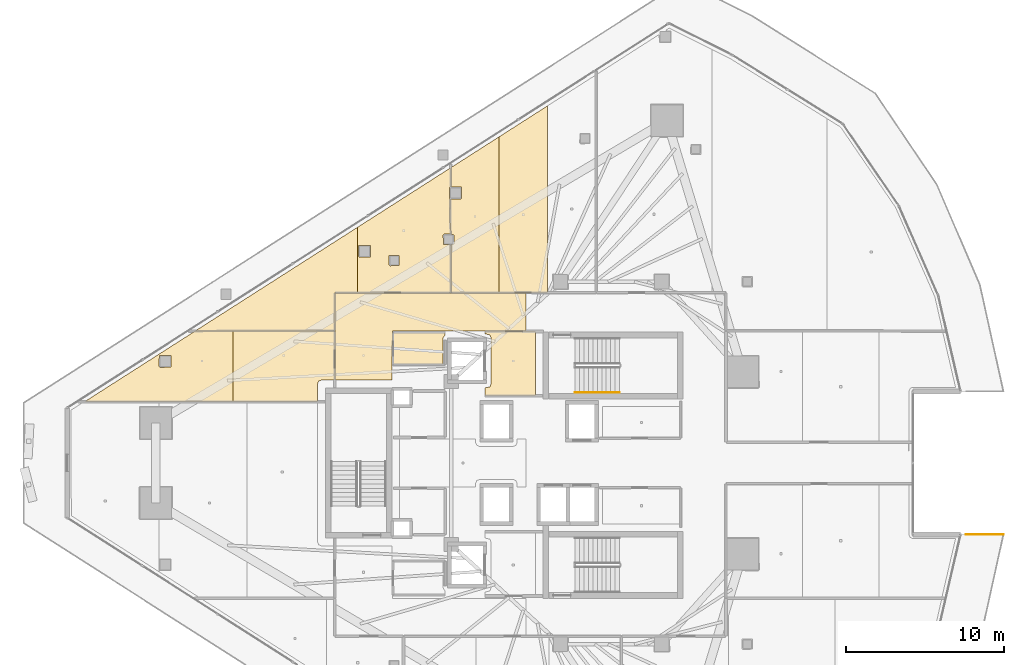
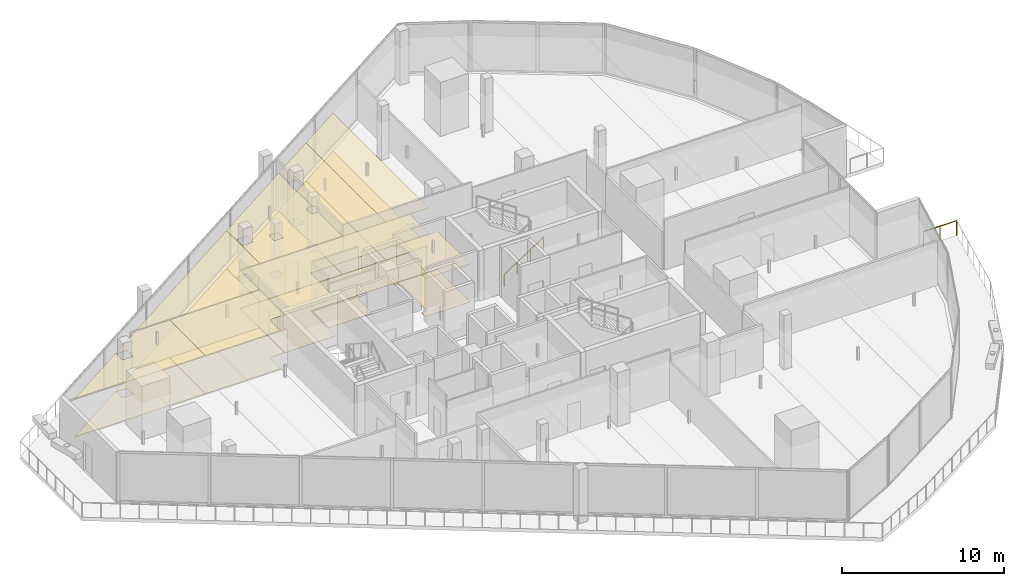
# One storey, part 35 of 37: 17 coverings, 2 railings.
"""IFC4 building model written with IfcOpenShell, lengths in metres."""

from ifc_helpers import new_model, si_unit, direction, frame, origin, origin_2d, place, context, subcontext, project, spatial, polyline, circle, outline, extrude, material, layer, layer_set, type_object, element, save


model = new_model("IFC4")

# Units and contexts
model_context = context("Model", 3, precision=1e-05, world=origin(), true_north=direction((0.0, 1.0)))
body_context = subcontext(model_context, "Body", "Model", "MODEL_VIEW")
ifc_project = project(units=[si_unit("LENGTHUNIT", "METRE"), si_unit("AREAUNIT", "SQUARE_METRE"), si_unit("VOLUMEUNIT", "CUBIC_METRE"), si_unit("PLANEANGLEUNIT", "RADIAN"), si_unit("MASSUNIT", "GRAM", prefix="KILO")], contexts=[model_context])

# Site, building, storey
site_placement = place(None, origin())
site = spatial("IfcSite", under=ifc_project, at=site_placement, CompositionType="ELEMENT")
building_placement = place(site_placement, origin())
building = spatial("IfcBuilding", under=site, at=building_placement, Name="Qorvath Tower", CompositionType="ELEMENT")
storey_placement = place(building_placement, frame((0.0, 0.0, 196.949951171875)))
storey = spatial("IfcBuildingStorey", under=building, at=storey_placement, Name="L45", CompositionType="ELEMENT", Elevation=196.949951171875)

# Coverings
ifc_material_1 = material(Name="Acoustic mineral fibre ceiling tile", Category="gypsum")
ifc_layer_1 = layer(ifc_material_1, 0.030029296875)
ifc_layer_set_1 = layer_set([ifc_layer_1], Name="COV-CEIL")
covering_type_1 = type_object("IfcCoveringType", Name="COV-CEIL", PredefinedType="CEILING", material=ifc_layer_set_1)
covering_1_placement = place(storey_placement, frame((0.0, 0.0, 2.85009765625)))
element("IfcCovering", 1, at=covering_1_placement, inside=storey, type_object=covering_type_1, Name="L45 Suspended Acoustic Ceiling 001", PredefinedType="CEILING", context=body_context, shape_type="SweptSolid", body=[
    extrude(outline(polyline([(-25.18994140625, 4.2548828125), (-25.18994140625, 8.294921875), (-28.375, 8.294921875), (-28.375, 8.159912109375), (-28.063232421875, 8.086669921875), (-27.989990234375, 7.909912109375), (-27.989990234375, 4.989990234375), (-28.063232421875, 4.813232421875), (-28.375, 4.739990234375), (-28.375, 4.2548828125), (-25.18994140625, 4.2548828125)])), origin(), (0.0, 0.0, 1.0), 0.030029296875),
])
covering_2_placement = place(storey_placement, frame((0.0, 0.0, 2.85009765625)))
element("IfcCovering", 2, at=covering_2_placement, inside=storey, type_object=covering_type_1, Name="L45 Suspended Acoustic Ceiling 010", PredefinedType="CEILING", context=body_context, shape_type="SweptSolid", body=[
    extrude(outline(polyline([(-25.76806640625, 8.324951171875), (-25.76806640625, 10.7451171875), (-37.844970703125, 10.7451171875), (-37.844970703125, 5.239990234375), (-34.2509765625, 5.239990234375), (-34.219970703125, 8.324951171875), (-25.76806640625, 8.324951171875)])), origin(), (0.0, 0.0, 1.0), 0.030029296875),
])
covering_3_placement = place(storey_placement, frame((0.0, 0.0, 2.85009765625)))
element("IfcCovering", 3, at=covering_3_placement, inside=storey, type_object=covering_type_1, Name="L45 Suspended Acoustic Ceiling 012", PredefinedType="CEILING", context=body_context, shape_type="SweptSolid", body=[
    extrude(outline(polyline([(-36.43896484375, 10.762939453125), (-36.43896484375, 14.881103515625), (-46.674072265625, 8.341064453125), (-37.863037109375, 8.35498046875), (-37.85791015625, 10.762939453125), (-36.43896484375, 10.762939453125)])), origin(), (0.0, 0.0, 1.0), 0.030029296875),
])
covering_4_placement = place(storey_placement, frame((0.0, 0.0, 2.85009765625)))
element("IfcCovering", 4, at=covering_4_placement, inside=storey, type_object=covering_type_1, Name="L45 Suspended Acoustic Ceiling 013", PredefinedType="CEILING", context=body_context, shape_type="SweptSolid", body=[
    extrude(outline(polyline([(-30.550048828125, 18.643798828125), (-36.43896484375, 14.881103515625), (-36.43896484375, 10.762939453125), (-30.550048828125, 10.762939453125), (-30.550048828125, 13.789306640625), (-30.99462890625, 13.806884765625), (-31.01220703125, 14.3994140625), (-30.9521484375, 14.459228515625), (-30.55029296875, 14.459228515625), (-30.60986328125, 17.384521484375), (-30.550048828125, 17.444580078125), (-30.550048828125, 18.643798828125)]), holes=[polyline([(-34.439208984375, 12.517578125), (-34.421630859375, 13.10986328125), (-33.786865234375, 13.10986328125), (-33.786865234375, 12.47509765625), (-34.379150390625, 12.45751953125), (-34.439208984375, 12.517578125)]), polyline([(-36.36572265625, 13.055908203125), (-36.34814453125, 13.748291015625), (-35.61328125, 13.748291015625), (-35.61328125, 13.013427734375), (-36.3056640625, 12.995849609375), (-36.36572265625, 13.055908203125)])]), origin(), (0.0, 0.0, 1.0), 0.030029296875),
])
covering_5_placement = place(storey_placement, frame((0.0, 0.0, 2.85009765625)))
element("IfcCovering", 5, at=covering_5_placement, inside=storey, type_object=covering_type_1, Name="L45 Suspended Acoustic Ceiling 014", PredefinedType="CEILING", context=body_context, shape_type="SweptSolid", body=[
    extrude(outline(polyline([(-29.89990234375, 16.674560546875), (-30.539794921875, 16.674560546875), (-30.531982421875, 14.459228515625), (-30.34228515625, 14.3994140625), (-30.34228515625, 13.849365234375), (-30.531982421875, 13.789306640625), (-30.531982421875, 10.762939453125), (-27.476806640625, 10.762939453125), (-27.476806640625, 20.60791015625), (-30.531982421875, 18.655517578125), (-30.531982421875, 17.444580078125), (-29.857421875, 17.427001953125), (-29.83984375, 16.734619140625), (-29.89990234375, 16.674560546875)])), origin(), (0.0, 0.0, 1.0), 0.030029296875),
])
covering_6_placement = place(storey_placement, frame((0.0, 0.0, 2.85009765625)))
element("IfcCovering", 6, at=covering_6_placement, inside=storey, type_object=covering_type_1, Name="L45 Suspended Acoustic Ceiling 015", PredefinedType="CEILING", context=body_context, shape_type="SweptSolid", body=[
    extrude(outline(polyline([(-27.476806640625, 20.60791015625), (-27.476806640625, 10.762939453125), (-24.4140625, 10.762939453125), (-24.4140625, 22.565673828125), (-27.476806640625, 20.60791015625)])), origin(), (0.0, 0.0, 1.0), 0.030029296875),
])
covering_7_placement = place(storey_placement, frame((0.0, 0.0, 2.85009765625)))
element("IfcCovering", 7, at=covering_7_placement, inside=storey, type_object=covering_type_1, Name="L45 Suspended Acoustic Ceiling 037", PredefinedType="CEILING", context=body_context, shape_type="SweptSolid", body=[
    extrude(outline(polyline([(-44.2958984375, 3.874755859375), (-44.2958984375, 8.33251953125), (-46.686279296875, 8.330810546875), (-53.6611328125, 3.872802734375), (-44.2958984375, 3.874755859375)]), holes=[polyline([(-48.96337890625, 6.099609375), (-48.94580078125, 6.7919921875), (-48.2109375, 6.7919921875), (-48.2109375, 6.05712890625), (-48.9033203125, 6.03955078125), (-48.96337890625, 6.099609375)])]), origin(), (0.0, 0.0, 1.0), 0.030029296875),
])
covering_8_placement = place(storey_placement, frame((0.0, 0.0, 2.85009765625)))
element("IfcCovering", 8, at=covering_8_placement, inside=storey, type_object=covering_type_1, Name="L45 Suspended Acoustic Ceiling 038", PredefinedType="CEILING", context=body_context, shape_type="SweptSolid", body=[
    extrude(outline(polyline([(-37.863037109375, 5.239990234375), (-37.863037109375, 8.3369140625), (-44.2958984375, 8.33251953125), (-44.2958984375, 3.874755859375), (-38.949951171875, 3.8759765625), (-38.949951171875, 4.989990234375), (-38.876708984375, 5.166748046875), (-38.699951171875, 5.239990234375), (-37.863037109375, 5.239990234375)])), origin(), (0.0, 0.0, 1.0), 0.030029296875),
])
ifc_material_2 = material(Name="Low-VOC modular carpet tile", Category="textile")
ifc_layer_2 = layer(ifc_material_2, 0.014892578125)
ifc_layer_set_2 = layer_set([ifc_layer_2], Name="COV-FLOOR-CPT")
covering_type_2 = type_object("IfcCoveringType", Name="COV-FLOOR-CPT", PredefinedType="FLOORING", material=ifc_layer_set_2)
covering_9_placement = place(storey_placement, origin())
element("IfcCovering", 9, at=covering_9_placement, inside=storey, type_object=covering_type_2, Name="L45 Floor Finish 012", PredefinedType="FLOORING", context=body_context, shape_type="SweptSolid", body=[
    extrude(outline(polyline([(-36.43896484375, 10.762939453125), (-36.43896484375, 14.881103515625), (-46.674072265625, 8.341064453125), (-37.863037109375, 8.35498046875), (-37.85791015625, 10.762939453125), (-36.43896484375, 10.762939453125)])), origin(), (0.0, 0.0, 1.0), 0.01513671875),
])
covering_10_placement = place(storey_placement, origin())
element("IfcCovering", 10, at=covering_10_placement, inside=storey, type_object=covering_type_2, Name="L45 Floor Finish 013", PredefinedType="FLOORING", context=body_context, shape_type="SweptSolid", body=[
    extrude(outline(polyline([(-30.550048828125, 18.643798828125), (-36.43896484375, 14.881103515625), (-36.43896484375, 10.762939453125), (-30.550048828125, 10.762939453125), (-30.550048828125, 13.789306640625), (-30.99462890625, 13.806884765625), (-31.01220703125, 14.3994140625), (-30.9521484375, 14.459228515625), (-30.55029296875, 14.459228515625), (-30.60986328125, 17.384521484375), (-30.550048828125, 17.444580078125), (-30.550048828125, 18.643798828125)]), holes=[polyline([(-34.439208984375, 12.517578125), (-34.421630859375, 13.10986328125), (-33.786865234375, 13.10986328125), (-33.786865234375, 12.47509765625), (-34.379150390625, 12.45751953125), (-34.439208984375, 12.517578125)]), polyline([(-36.36572265625, 13.055908203125), (-36.34814453125, 13.748291015625), (-35.61328125, 13.748291015625), (-35.61328125, 13.013427734375), (-36.3056640625, 12.995849609375), (-36.36572265625, 13.055908203125)])]), origin(), (0.0, 0.0, 1.0), 0.01513671875),
])
covering_11_placement = place(storey_placement, origin())
element("IfcCovering", 11, at=covering_11_placement, inside=storey, type_object=covering_type_2, Name="L45 Floor Finish 014", PredefinedType="FLOORING", context=body_context, shape_type="SweptSolid", body=[
    extrude(outline(polyline([(-29.89990234375, 16.674560546875), (-30.539794921875, 16.674560546875), (-30.531982421875, 14.459228515625), (-30.34228515625, 14.3994140625), (-30.34228515625, 13.849365234375), (-30.531982421875, 13.789306640625), (-30.531982421875, 10.762939453125), (-27.476806640625, 10.762939453125), (-27.476806640625, 20.60791015625), (-30.531982421875, 18.655517578125), (-30.531982421875, 17.444580078125), (-29.857421875, 17.427001953125), (-29.83984375, 16.734619140625), (-29.89990234375, 16.674560546875)])), origin(), (0.0, 0.0, 1.0), 0.01513671875),
])
covering_12_placement = place(storey_placement, origin())
element("IfcCovering", 12, at=covering_12_placement, inside=storey, type_object=covering_type_2, Name="L45 Floor Finish 015", PredefinedType="FLOORING", context=body_context, shape_type="SweptSolid", body=[
    extrude(outline(polyline([(-27.476806640625, 20.60791015625), (-27.476806640625, 10.762939453125), (-24.4140625, 10.762939453125), (-24.4140625, 22.565673828125), (-27.476806640625, 20.60791015625)])), origin(), (0.0, 0.0, 1.0), 0.01513671875),
])
covering_13_placement = place(storey_placement, origin())
element("IfcCovering", 13, at=covering_13_placement, inside=storey, type_object=covering_type_2, Name="L45 Floor Finish 037", PredefinedType="FLOORING", context=body_context, shape_type="SweptSolid", body=[
    extrude(outline(polyline([(-44.2958984375, 3.874755859375), (-44.2958984375, 8.33251953125), (-46.686279296875, 8.330810546875), (-53.6611328125, 3.872802734375), (-44.2958984375, 3.874755859375)]), holes=[polyline([(-48.96337890625, 6.099609375), (-48.94580078125, 6.7919921875), (-48.2109375, 6.7919921875), (-48.2109375, 6.05712890625), (-48.9033203125, 6.03955078125), (-48.96337890625, 6.099609375)])]), origin(), (0.0, 0.0, 1.0), 0.01513671875),
])
covering_14_placement = place(storey_placement, origin())
element("IfcCovering", 14, at=covering_14_placement, inside=storey, type_object=covering_type_2, Name="L45 Floor Finish 038", PredefinedType="FLOORING", context=body_context, shape_type="SweptSolid", body=[
    extrude(outline(polyline([(-37.863037109375, 5.239990234375), (-37.863037109375, 8.3369140625), (-44.2958984375, 8.33251953125), (-44.2958984375, 3.874755859375), (-38.949951171875, 3.8759765625), (-38.949951171875, 4.989990234375), (-38.876708984375, 5.166748046875), (-38.699951171875, 5.239990234375), (-37.863037109375, 5.239990234375)])), origin(), (0.0, 0.0, 1.0), 0.01513671875),
])
ifc_material_3 = material(Name="Polished epoxy terrazzo flooring", Category="concrete")
ifc_layer_3 = layer(ifc_material_3, 0.02001953125)
ifc_layer_set_3 = layer_set([ifc_layer_3], Name="COV-FLOOR-TRZ")
covering_type_3 = type_object("IfcCoveringType", Name="COV-FLOOR-TRZ", PredefinedType="FLOORING", material=ifc_layer_set_3)
covering_15_placement = place(storey_placement, origin())
element("IfcCovering", 15, at=covering_15_placement, inside=storey, type_object=covering_type_3, Name="L45 Floor Finish 001", PredefinedType="FLOORING", context=body_context, shape_type="SweptSolid", body=[
    extrude(outline(polyline([(-25.18994140625, 4.2548828125), (-25.18994140625, 8.294921875), (-28.375, 8.294921875), (-28.375, 8.159912109375), (-28.063232421875, 8.086669921875), (-27.989990234375, 7.909912109375), (-27.989990234375, 4.989990234375), (-28.063232421875, 4.813232421875), (-28.375, 4.739990234375), (-28.375, 4.2548828125), (-25.18994140625, 4.2548828125)])), origin(), (0.0, 0.0, 1.0), 0.01513671875),
])
covering_16_placement = place(storey_placement, origin())
element("IfcCovering", 16, at=covering_16_placement, inside=storey, type_object=covering_type_3, Name="L45 Floor Finish 005", PredefinedType="FLOORING", context=body_context, shape_type="SweptSolid", body=[
    extrude(outline(polyline([(-31.010009765625, 6.205078125), (-31.010009765625, 7.909912109375), (-30.885009765625, 8.108154296875), (-30.885009765625, 8.2451171875), (-34.175048828125, 8.2451171875), (-34.175048828125, 6.205078125), (-31.010009765625, 6.205078125)])), origin(), (0.0, 0.0, 1.0), 0.01513671875),
])
covering_17_placement = place(storey_placement, origin())
element("IfcCovering", 17, at=covering_17_placement, inside=storey, type_object=covering_type_3, Name="L45 Floor Finish 010", PredefinedType="FLOORING", context=body_context, shape_type="SweptSolid", body=[
    extrude(outline(polyline([(-25.76806640625, 8.324951171875), (-25.76806640625, 10.7451171875), (-37.844970703125, 10.7451171875), (-37.844970703125, 5.239990234375), (-34.2509765625, 5.239990234375), (-34.219970703125, 8.324951171875), (-25.76806640625, 8.324951171875)])), origin(), (0.0, 0.0, 1.0), 0.01513671875),
])

# Railings
ifc_material_4 = material(Name="Laminated safety glass and stainless steel AISI 316", Category="steel")
railing_type_1 = type_object("IfcRailingType", Name="RL-EXT-GRD", PredefinedType="GUARDRAIL", material=ifc_material_4)
railing_1_placement = place(storey_placement, frame((2.03369140625, -4.519775390625, 0.0)))
element("IfcRailing", 18, at=railing_1_placement, inside=storey, type_object=railing_type_1, Name="Loggia Perimeter Guardrail L45-1.2", PredefinedType="GUARDRAIL", context=body_context, shape_type="SweptSolid", body=[
    extrude(circle(Radius=0.02392578125, at=origin_2d()), frame((0.0, 0.0, 1.09619140625), z_axis=(1.0, 0.0, 0.0), x_axis=(0.0, 1.0, 0.0)), (0.0, 0.0, 1.0), 2.36669921875),
    extrude(circle(Radius=0.02099609375, at=origin_2d()), origin(), (0.0, 0.0, 1.0), 1.072021484375),
    extrude(circle(Radius=0.02099609375, at=origin_2d()), frame((1.183349609375, 0.0, 0.0)), (0.0, 0.0, 1.0), 1.072021484375),
    extrude(circle(Radius=0.02099609375, at=origin_2d()), frame((2.36669921875, 0.0, 0.0)), (0.0, 0.0, 1.0), 1.072021484375),
])
ifc_material_5 = material(Name="Brushed stainless steel AISI 304", Category="steel")
railing_type_2 = type_object("IfcRailingType", Name="RL-STR-HND", PredefinedType="HANDRAIL", material=ifc_material_5)
railing_2_placement = place(storey_placement, frame((-22.669921875, 4.449951171875, 0.18408203125)))
element("IfcRailing", 19, at=railing_2_placement, inside=storey, type_object=railing_type_2, Name="L45 TS1 stair handrail 1", PredefinedType="HANDRAIL", context=body_context, shape_type="SweptSolid", body=[
    extrude(circle(Radius=0.02392578125, at=origin_2d()), frame((0.0, 0.0, 0.8759765625), z_axis=(0.835542071712, 0.0, 0.549426470421), x_axis=(0.0, 1.0, 0.0)), (0.0, 0.0, 1.0), 3.350830078125),
    extrude(circle(Radius=0.02099609375, at=origin_2d()), origin(), (0.0, 0.0, 1.0), 0.851806640625),
    extrude(circle(Radius=0.02099609375, at=origin_2d()), frame((0.933349609375, 0.0, 0.61376953125)), (0.0, 0.0, 1.0), 0.851806640625),
    extrude(circle(Radius=0.02099609375, at=origin_2d()), frame((1.866455078125, 0.0, 1.227294921875)), (0.0, 0.0, 1.0), 0.851806640625),
    extrude(circle(Radius=0.02099609375, at=origin_2d()), frame((2.7998046875, 0.0, 1.841064453125)), (0.0, 0.0, 1.0), 0.851806640625),
])

save(model, "model.ifc")
